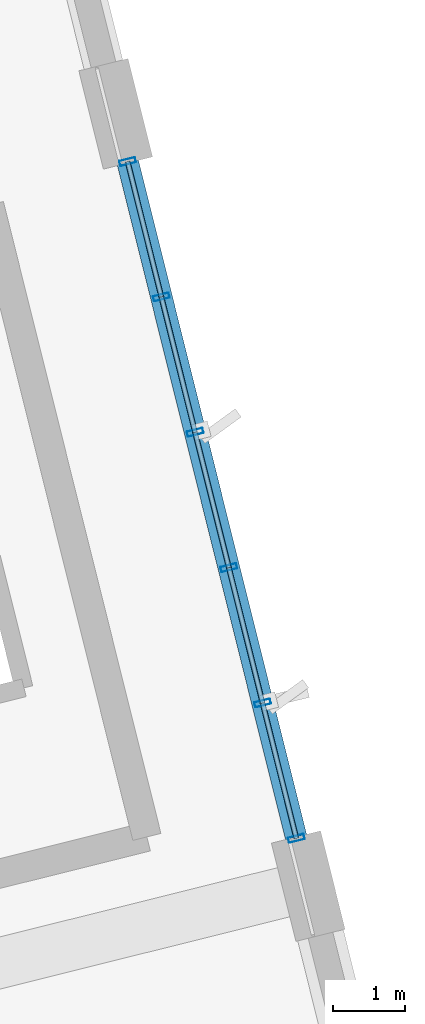
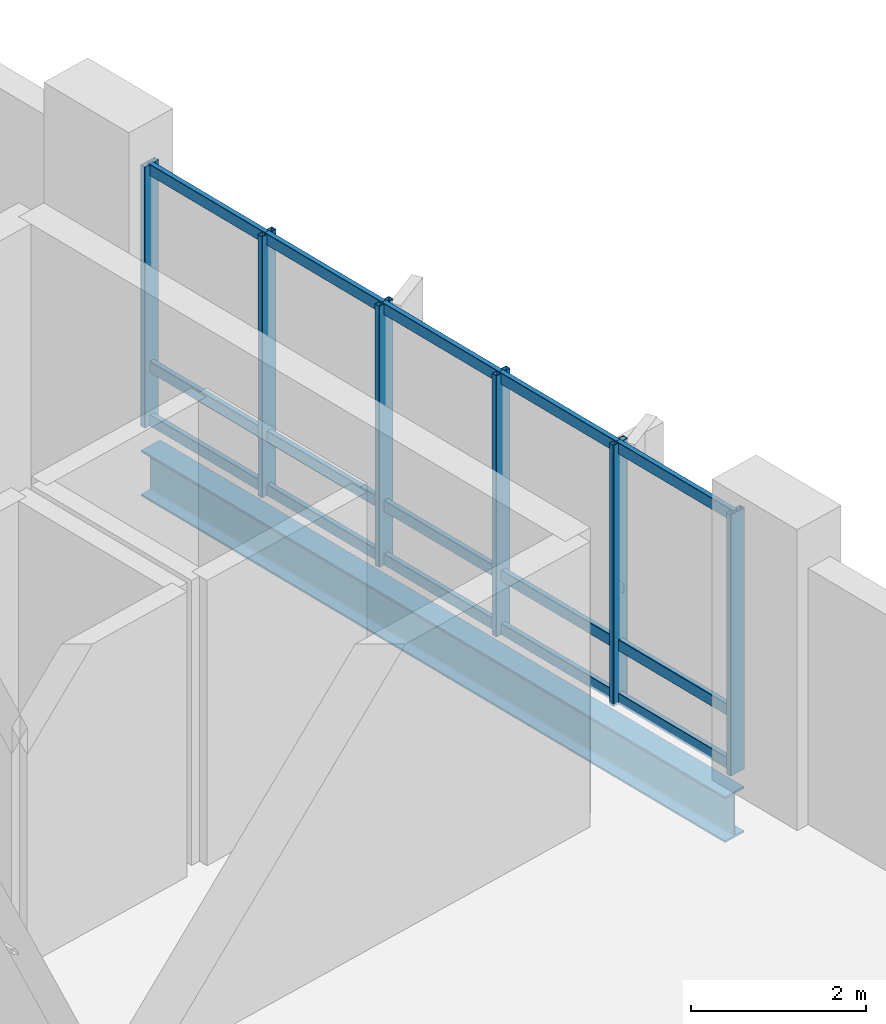
# One storey, part 16 of 22: 21 members, 1 beam, 1 element without a shape of its own.
"""IFC4 building model written with IfcOpenShell, lengths in metres."""

import ifcopenshell
import ifcopenshell.guid

model = None  # the IFC model being written
_history = None  # IfcOwnerHistory: only IFC2X3 demands one
_inside = {}  # id of a spatial element -> (the spatial element, [elements in it])
_under = {}  # id of a project, library or spatial element -> (it, [spatial elements below it])
_declared = {}  # id of a project -> (the project, [libraries it declares])
_typed = {}  # id of a type object -> (the type object, [elements of that type])
_made_of = {}  # id of a material, layer set ... -> (it, [elements and type objects made of it])


def new_model(schema):
    """Start an empty IFC model of exactly this schema.

    Asked for "IFC4X3", IfcOpenShell would pick the latest addendum, in which some entities
    have other attributes; the version numbers below select the first issue.
    IFC2X3 requires an IfcOwnerHistory on every rooted entity: one is made here for all.
    """
    global model, _history
    if schema == "IFC4X3":
        model = ifcopenshell.file(schema_version=(4, 3, 0, 0))
    else:
        model = ifcopenshell.file(schema=schema)
    _inside.clear()
    _under.clear()
    _declared.clear()
    _typed.clear()
    _made_of.clear()
    _history = None
    if model.schema == "IFC2X3":
        org = make("IfcOrganization", Name="unknown")
        user = make(
            "IfcPersonAndOrganization",
            ThePerson=make("IfcPerson", FamilyName="unknown"),
            TheOrganization=org,
        )
        app = make(
            "IfcApplication",
            ApplicationDeveloper=org,
            Version="unknown",
            ApplicationFullName="unknown",
            ApplicationIdentifier="unknown",
        )
        _history = make(
            "IfcOwnerHistory",
            OwningUser=user,
            OwningApplication=app,
            ChangeAction="ADDED",
            CreationDate=0,
        )
    return model


def make(cls, **values):
    """One entity of the class cls with the attributes given. An attribute that is None is left unset."""
    return model.create_entity(
        cls, **{name: value for name, value in values.items() if value is not None}
    )


def rooted(cls, **values):
    """An entity with a GlobalId (a new one), such as an element, a storey or a relation."""
    return make(cls, GlobalId=ifcopenshell.guid.new(), OwnerHistory=_history, **values)


def si_unit(unit_type, name, prefix=None):
    """IfcSIUnit, for example si_unit("LENGTHUNIT", "METRE", prefix="MILLI")."""
    return make("IfcSIUnit", UnitType=unit_type, Prefix=prefix, Name=name)


def assignment(units):
    """IfcUnitAssignment: the units of a project."""
    return None if units is None else make("IfcUnitAssignment", Units=units)


def point(xyz):
    """IfcCartesianPoint."""
    return None if xyz is None else make("IfcCartesianPoint", Coordinates=xyz)


def direction(xyz):
    """IfcDirection."""
    return None if xyz is None else make("IfcDirection", DirectionRatios=xyz)


def frame(location, z_axis=None, x_axis=None):
    """IfcAxis2Placement3D, a coordinate frame: its origin and axes. An axis left out is left unset."""
    return make(
        "IfcAxis2Placement3D",
        Location=point(location),
        Axis=direction(z_axis),
        RefDirection=direction(x_axis),
    )


def frame_2d(location, x_axis=None):
    """IfcAxis2Placement2D, a coordinate frame in the plane: its origin and x axis."""
    return make(
        "IfcAxis2Placement2D", Location=point(location), RefDirection=direction(x_axis)
    )


def origin():
    """The frame at (0, 0, 0) with its axes left unset."""
    return frame((0.0, 0.0, 0.0))


def origin_2d():
    """The frame at (0, 0) in the plane with its x axis left unset."""
    return frame_2d((0.0, 0.0))


def place(relative_to, where):
    """IfcLocalPlacement: puts the frame where relative to a parent placement (None: the world)."""
    return make(
        "IfcLocalPlacement", PlacementRelTo=relative_to, RelativePlacement=where
    )


def context(
    kind, dimensions, precision=None, world=None, true_north=None, identifier=None
):
    """IfcGeometricRepresentationContext, for example the 3D "Model" context."""
    return make(
        "IfcGeometricRepresentationContext",
        ContextIdentifier=identifier,
        ContextType=kind,
        CoordinateSpaceDimension=dimensions,
        Precision=precision,
        WorldCoordinateSystem=world,
        TrueNorth=true_north,
    )


def subcontext(parent, identifier, kind, view, scale=None):
    """IfcGeometricRepresentationSubContext, for example "Body" below "Model"."""
    return make(
        "IfcGeometricRepresentationSubContext",
        ContextIdentifier=identifier,
        ContextType=kind,
        ParentContext=parent,
        TargetScale=scale,
        TargetView=view,
    )


def project(units=None, contexts=None):
    """IfcProject with its units and contexts."""
    return rooted(
        "IfcProject",
        Name="project",
        RepresentationContexts=contexts,
        UnitsInContext=assignment(units),
    )


def spatial(cls, under=None, at=None, **own):
    """A site, building, storey or space (cls), placed at a placement, below another one or the project."""
    s = rooted(cls, ObjectPlacement=at, **own)
    if under is not None:
        _under.setdefault(under.id(), (under, []))[1].append(s)
    return s


def profile(cls, at=None, kind="AREA", **sizes):
    """A parametric profile (cls). Its sizes go by their IFC names, for example OverallWidth=200.0."""
    return make(cls, ProfileType=kind, Position=at, **sizes)


def hollow_rectangle(**sizes):
    """IfcRectangleHollowProfileDef."""
    return profile("IfcRectangleHollowProfileDef", **sizes)


def i_section(**sizes):
    """IfcIShapeProfileDef."""
    return profile("IfcIShapeProfileDef", **sizes)


def extrude(swept, where, along, depth):
    """IfcExtrudedAreaSolid: the profile swept, set in the frame where, extruded along a direction by depth."""
    return make(
        "IfcExtrudedAreaSolid",
        SweptArea=swept,
        Position=where,
        ExtrudedDirection=direction(along),
        Depth=depth,
    )


def shape(context_of_items, identifier, shape_type, items):
    """IfcShapeRepresentation: the items that make up one representation, for example the "Body"."""
    return make(
        "IfcShapeRepresentation",
        ContextOfItems=context_of_items,
        RepresentationIdentifier=identifier,
        RepresentationType=shape_type,
        Items=items,
    )


def material(Name=None, Category=None):
    """IfcMaterial."""
    return make("IfcMaterial", Name=Name, Category=Category)


def layer(
    of_material, thickness, ventilated=None, Name=None, Category=None, Priority=None
):
    """IfcMaterialLayer: one layer of a wall or slab, of a material (None: an air gap)."""
    return make(
        "IfcMaterialLayer",
        Material=of_material,
        LayerThickness=thickness,
        IsVentilated=ventilated,
        Name=Name,
        Category=Category,
        Priority=Priority,
    )


def layer_set(layers, Name=None):
    """IfcMaterialLayerSet."""
    return make("IfcMaterialLayerSet", MaterialLayers=layers, LayerSetName=Name)


def material_profile(
    of_material, cross_section, Name=None, Category=None, Priority=None
):
    """IfcMaterialProfile: a cross section and its material."""
    return make(
        "IfcMaterialProfile",
        Name=Name,
        Material=of_material,
        Profile=cross_section,
        Priority=Priority,
        Category=Category,
    )


def profile_set(profiles, Name=None, composite=None):
    """IfcMaterialProfileSet."""
    return make(
        "IfcMaterialProfileSet",
        Name=Name,
        MaterialProfiles=profiles,
        CompositeProfile=composite,
    )


def made_of(thing, what):
    """Note that an element or type object is made of a material, layer set ...; save() writes the relation."""
    if what is not None:
        _made_of.setdefault(what.id(), (what, []))[1].append(thing)
    return thing


def type_object(cls, material=None, **own):
    """A type object (cls), such as IfcWallType, which elements share."""
    return made_of(rooted(cls, **own), material)


def element(
    cls,
    number,
    at=None,
    inside=None,
    cuts=None,
    type_object=None,
    material=None,
    context=None,
    identifier="Body",
    shape_type=None,
    held_by="IfcProductDefinitionShape",
    body=None,
    shapes=None,
    **own,
):
    """One element of the class cls, such as IfcWall. Its Tag is "e" and its number.

    at: its placement. inside: the storey or other place that contains it. cuts: it is an
    opening in that element (IfcRelVoidsElement). A single representation is given by context,
    identifier, shape_type and body (its items); several are given by shapes. held_by: the class
    of the entity that holds the representations. save() writes the other relations.
    """
    e = rooted(cls, Tag="e%d" % number, ObjectPlacement=at, **own)
    if body is not None:
        shapes = [shape(context, identifier, shape_type, body)]
    if shapes is not None:
        e.Representation = make(held_by, Representations=shapes)
    if inside is not None:
        _inside.setdefault(inside.id(), (inside, []))[1].append(e)
    if cuts is not None:
        rooted(
            "IfcRelVoidsElement", RelatingBuildingElement=cuts, RelatedOpeningElement=e
        )
    if type_object is not None:
        _typed.setdefault(type_object.id(), (type_object, []))[1].append(e)
    return made_of(e, material)


def aggregate(whole, parts):
    """IfcRelAggregates: a whole, such as a stair, and the parts it consists of."""
    return rooted("IfcRelAggregates", RelatingObject=whole, RelatedObjects=parts)


def save(model, path):
    """Write the relations noted so far, then the file.

    IfcRelAggregates (storeys below a building ...), IfcRelContainedInSpatialStructure (elements
    in a storey), IfcRelDefinesByType, IfcRelAssociatesMaterial and IfcRelDeclares: one each for
    every whole, place, type object, material and project.
    """
    for whole, parts in _under.values():
        aggregate(whole, parts)
    for where, things in _inside.values():
        rooted(
            "IfcRelContainedInSpatialStructure",
            RelatedElements=things,
            RelatingStructure=where,
        )
    for kind, things in _typed.values():
        rooted("IfcRelDefinesByType", RelatedObjects=things, RelatingType=kind)
    for what, things in _made_of.values():
        rooted("IfcRelAssociatesMaterial", RelatedObjects=things, RelatingMaterial=what)
    for by, libraries in _declared.values():
        rooted("IfcRelDeclares", RelatingContext=by, RelatedDefinitions=libraries)
    model.write(path)


model = new_model("IFC4")

# Units and contexts
model_context = context("Model", 3, precision=1e-05, world=origin(), true_north=direction((0.0, 1.0)))
body_context = subcontext(model_context, "Body", "Model", "MODEL_VIEW")
ifc_project = project(units=[si_unit("LENGTHUNIT", "METRE"), si_unit("AREAUNIT", "SQUARE_METRE"), si_unit("VOLUMEUNIT", "CUBIC_METRE"), si_unit("PLANEANGLEUNIT", "RADIAN"), si_unit("MASSUNIT", "GRAM", prefix="KILO")], contexts=[model_context])

# Site, building, storey
site_placement = place(None, origin())
site = spatial("IfcSite", under=ifc_project, at=site_placement, CompositionType="ELEMENT")
building_placement = place(site_placement, origin())
building = spatial("IfcBuilding", under=site, at=building_placement, Name="Khorjan Park Terminus", CompositionType="ELEMENT")
storey_placement = place(building_placement, frame((0.0, 0.0, 24.6)))
storey = spatial("IfcBuildingStorey", under=building, at=storey_placement, Name="L05", CompositionType="ELEMENT", Elevation=24.6)

# Beam
ifc_material_1 = material(Name="Steel S355", Category="steel")
ifc_material_profile_1 = material_profile(ifc_material_1, i_section(OverallWidth=0.3, OverallDepth=0.64, WebThickness=0.0135, FlangeThickness=0.026, FilletRadius=0.027, at=origin_2d()), Name="HEA 650")
ifc_profile_set_1 = profile_set([ifc_material_profile_1], Name="Steel S355")
beam_type = type_object("IfcBeamType", Name="BM-HEA650", PredefinedType="BEAM", material=ifc_profile_set_1)
beam_placement = place(storey_placement, frame((224.5491, 39.9877, -0.65), z_axis=(-0.241925915978, 0.970294723874, 0.0), x_axis=(-0.970294723874, -0.241925915978, 0.0)))
element("IfcBeam", 1, at=beam_placement, inside=storey, type_object=beam_type, Name="Primary skew-grid floor girder SB-A65 (L05)", PredefinedType="BEAM", context=body_context, shape_type="SweptSolid", body=[
    extrude(i_section(OverallWidth=0.3, OverallDepth=0.64, WebThickness=0.0135, FlangeThickness=0.026, FilletRadius=0.027, at=origin_2d()), origin(), (0.0, 0.0, 1.0), 9.61),
])

# Curtain wall, members
ifc_material_2 = material(Name="Anodized Bronze Aluminium", Category="aluminium")
ifc_layer = layer(ifc_material_2, 0.22)
ifc_layer_set = layer_set([ifc_layer], Name="Anodized Bronze Aluminium")
curtain_wall_type = type_object("IfcCurtainWallType", Name="CW-OPS-B", PredefinedType="NOTDEFINED", material=ifc_layer_set)
curtain_wall_placement = place(storey_placement, origin())
curtain_wall = element("IfcCurtainWall", 2, at=curtain_wall_placement, inside=storey, type_object=curtain_wall_type, Name="Unitized curtain wall CW-B (CW-V5-E-L05-B03)", PredefinedType="NOTDEFINED")
ifc_material_profile_2 = material_profile(ifc_material_2, hollow_rectangle(XDim=0.075, YDim=0.225, WallThickness=0.005, InnerFilletRadius=0.005, OuterFilletRadius=0.01, at=origin_2d()), Name="ALM 75x225x5")
ifc_profile_set_2 = profile_set([ifc_material_profile_2], Name="Anodized Bronze Aluminium")
member_type_1 = type_object("IfcMemberType", Name="ML-ALM-225", PredefinedType="MULLION", material=ifc_profile_set_2)
member_1_placement = place(storey_placement, frame((224.5528, 39.9729, -0.035), z_axis=(0.0, 0.0, 1.0), x_axis=(-0.241922975976, 0.970295456907, 0.0)))
member_1 = element("IfcMember", 3, at=member_1_placement, type_object=member_type_1, Name="Curtain-wall mullion ML-22 (CW-V5-E-L05-B03-0)", PredefinedType="MULLION", context=body_context, shape_type="SweptSolid", body=[
    extrude(hollow_rectangle(XDim=0.075, YDim=0.225, WallThickness=0.005, InnerFilletRadius=0.005, OuterFilletRadius=0.01, at=origin_2d()), origin(), (0.0, 0.0, 1.0), 3.645),
])
member_2_placement = place(storey_placement, frame((224.0863, 41.8438, -0.035), z_axis=(0.0, 0.0, 1.0), x_axis=(-0.241922975976, 0.970295456907, 0.0)))
member_2 = element("IfcMember", 4, at=member_2_placement, type_object=member_type_1, Name="Curtain-wall mullion ML-22 (CW-V5-E-L05-B03-1)", PredefinedType="MULLION", context=body_context, shape_type="SweptSolid", body=[
    extrude(hollow_rectangle(XDim=0.075, YDim=0.225, WallThickness=0.005, InnerFilletRadius=0.005, OuterFilletRadius=0.01, at=origin_2d()), origin(), (0.0, 0.0, 1.0), 3.645),
])
member_3_placement = place(storey_placement, frame((223.6199, 43.7146, -0.035), z_axis=(0.0, 0.0, 1.0), x_axis=(-0.241922975976, 0.970295456907, 0.0)))
member_3 = element("IfcMember", 5, at=member_3_placement, type_object=member_type_1, Name="Curtain-wall mullion ML-22 (CW-V5-E-L05-B03-2)", PredefinedType="MULLION", context=body_context, shape_type="SweptSolid", body=[
    extrude(hollow_rectangle(XDim=0.075, YDim=0.225, WallThickness=0.005, InnerFilletRadius=0.005, OuterFilletRadius=0.01, at=origin_2d()), origin(), (0.0, 0.0, 1.0), 3.645),
])
member_4_placement = place(storey_placement, frame((223.1534, 45.5855, -0.035), z_axis=(0.0, 0.0, 1.0), x_axis=(-0.241922975976, 0.970295456907, 0.0)))
member_4 = element("IfcMember", 6, at=member_4_placement, type_object=member_type_1, Name="Curtain-wall mullion ML-22 (CW-V5-E-L05-B03-3)", PredefinedType="MULLION", context=body_context, shape_type="SweptSolid", body=[
    extrude(hollow_rectangle(XDim=0.075, YDim=0.225, WallThickness=0.005, InnerFilletRadius=0.005, OuterFilletRadius=0.01, at=origin_2d()), origin(), (0.0, 0.0, 1.0), 3.645),
])
member_5_placement = place(storey_placement, frame((222.687, 47.4563, -0.035), z_axis=(0.0, 0.0, 1.0), x_axis=(-0.241922975976, 0.970295456907, 0.0)))
member_5 = element("IfcMember", 7, at=member_5_placement, type_object=member_type_1, Name="Curtain-wall mullion ML-22 (CW-V5-E-L05-B03-4)", PredefinedType="MULLION", context=body_context, shape_type="SweptSolid", body=[
    extrude(hollow_rectangle(XDim=0.075, YDim=0.225, WallThickness=0.005, InnerFilletRadius=0.005, OuterFilletRadius=0.01, at=origin_2d()), origin(), (0.0, 0.0, 1.0), 3.645),
])
member_6_placement = place(storey_placement, frame((222.2205, 49.3272, -0.035), z_axis=(0.0, 0.0, 1.0), x_axis=(-0.241922975976, 0.970295456907, 0.0)))
member_6 = element("IfcMember", 8, at=member_6_placement, type_object=member_type_1, Name="Curtain-wall mullion ML-22 (CW-V5-E-L05-B03-5)", PredefinedType="MULLION", context=body_context, shape_type="SweptSolid", body=[
    extrude(hollow_rectangle(XDim=0.075, YDim=0.225, WallThickness=0.005, InnerFilletRadius=0.005, OuterFilletRadius=0.01, at=origin_2d()), origin(), (0.0, 0.0, 1.0), 3.645),
])
ifc_material_profile_3 = material_profile(ifc_material_2, hollow_rectangle(XDim=0.07, YDim=0.16, WallThickness=0.004, InnerFilletRadius=0.004, OuterFilletRadius=0.008, at=origin_2d()), Name="ALT 70x160x4")
ifc_profile_set_3 = profile_set([ifc_material_profile_3], Name="Anodized Bronze Aluminium")
member_type_2 = type_object("IfcMemberType", Name="TR-ALT-160", PredefinedType="USERDEFINED", material=ifc_profile_set_3)
member_7_placement = place(storey_placement, frame((224.5528, 39.9729, 0.04), z_axis=(-0.241937637138, 0.970291801334, 0.0), x_axis=(-0.970291801334, -0.241937637138, 0.0)))
member_7 = element("IfcMember", 9, at=member_7_placement, type_object=member_type_2, Name="Curtain-wall transom TR-16 (CW-V5-E-L05-B03-0-1)", ObjectType="TRANSOM", PredefinedType="USERDEFINED", context=body_context, shape_type="SweptSolid", body=[
    extrude(hollow_rectangle(XDim=0.07, YDim=0.16, WallThickness=0.004, InnerFilletRadius=0.004, OuterFilletRadius=0.008, at=origin_2d()), origin(), (0.0, 0.0, 1.0), 1.9282),
])
member_8_placement = place(storey_placement, frame((224.5528, 39.9729, 0.786), z_axis=(-0.241937637138, 0.970291801334, 0.0), x_axis=(-0.970291801334, -0.241937637138, 0.0)))
member_8 = element("IfcMember", 10, at=member_8_placement, type_object=member_type_2, Name="Curtain-wall transom TR-16 (CW-V5-E-L05-B03-0-2)", ObjectType="TRANSOM", PredefinedType="USERDEFINED", context=body_context, shape_type="SweptSolid", body=[
    extrude(hollow_rectangle(XDim=0.07, YDim=0.16, WallThickness=0.004, InnerFilletRadius=0.004, OuterFilletRadius=0.008, at=origin_2d()), origin(), (0.0, 0.0, 1.0), 1.9282),
])
member_9_placement = place(storey_placement, frame((224.5528, 39.9729, 3.535), z_axis=(-0.241937637138, 0.970291801334, 0.0), x_axis=(-0.970291801334, -0.241937637138, 0.0)))
member_9 = element("IfcMember", 11, at=member_9_placement, type_object=member_type_2, Name="Curtain-wall transom TR-16 (CW-V5-E-L05-B03-0-3)", ObjectType="TRANSOM", PredefinedType="USERDEFINED", context=body_context, shape_type="SweptSolid", body=[
    extrude(hollow_rectangle(XDim=0.07, YDim=0.16, WallThickness=0.004, InnerFilletRadius=0.004, OuterFilletRadius=0.008, at=origin_2d()), origin(), (0.0, 0.0, 1.0), 1.9282),
])
member_10_placement = place(storey_placement, frame((224.0863, 41.8438, 0.04), z_axis=(-0.241900982739, 0.970300940198, 0.0), x_axis=(-0.970300940198, -0.241900982739, 0.0)))
member_10 = element("IfcMember", 12, at=member_10_placement, type_object=member_type_2, Name="Curtain-wall transom TR-16 (CW-V5-E-L05-B03-1-1)", ObjectType="TRANSOM", PredefinedType="USERDEFINED", context=body_context, shape_type="SweptSolid", body=[
    extrude(hollow_rectangle(XDim=0.07, YDim=0.16, WallThickness=0.004, InnerFilletRadius=0.004, OuterFilletRadius=0.008, at=origin_2d()), origin(), (0.0, 0.0, 1.0), 1.9281),
])
member_11_placement = place(storey_placement, frame((224.0863, 41.8438, 0.786), z_axis=(-0.241900982739, 0.970300940198, 0.0), x_axis=(-0.970300940198, -0.241900982739, 0.0)))
member_11 = element("IfcMember", 13, at=member_11_placement, type_object=member_type_2, Name="Curtain-wall transom TR-16 (CW-V5-E-L05-B03-1-2)", ObjectType="TRANSOM", PredefinedType="USERDEFINED", context=body_context, shape_type="SweptSolid", body=[
    extrude(hollow_rectangle(XDim=0.07, YDim=0.16, WallThickness=0.004, InnerFilletRadius=0.004, OuterFilletRadius=0.008, at=origin_2d()), origin(), (0.0, 0.0, 1.0), 1.9281),
])
member_12_placement = place(storey_placement, frame((224.0863, 41.8438, 3.535), z_axis=(-0.241900982739, 0.970300940198, 0.0), x_axis=(-0.970300940198, -0.241900982739, 0.0)))
member_12 = element("IfcMember", 14, at=member_12_placement, type_object=member_type_2, Name="Curtain-wall transom TR-16 (CW-V5-E-L05-B03-1-3)", ObjectType="TRANSOM", PredefinedType="USERDEFINED", context=body_context, shape_type="SweptSolid", body=[
    extrude(hollow_rectangle(XDim=0.07, YDim=0.16, WallThickness=0.004, InnerFilletRadius=0.004, OuterFilletRadius=0.008, at=origin_2d()), origin(), (0.0, 0.0, 1.0), 1.9281),
])
member_13_placement = place(storey_placement, frame((223.6199, 43.7146, 0.04), z_axis=(-0.241937637138, 0.970291801334, 0.0), x_axis=(-0.970291801334, -0.241937637138, 0.0)))
member_13 = element("IfcMember", 15, at=member_13_placement, type_object=member_type_2, Name="Curtain-wall transom TR-16 (CW-V5-E-L05-B03-2-1)", ObjectType="TRANSOM", PredefinedType="USERDEFINED", context=body_context, shape_type="SweptSolid", body=[
    extrude(hollow_rectangle(XDim=0.07, YDim=0.16, WallThickness=0.004, InnerFilletRadius=0.004, OuterFilletRadius=0.008, at=origin_2d()), origin(), (0.0, 0.0, 1.0), 1.9282),
])
member_14_placement = place(storey_placement, frame((223.6199, 43.7146, 0.786), z_axis=(-0.241937637138, 0.970291801334, 0.0), x_axis=(-0.970291801334, -0.241937637138, 0.0)))
member_14 = element("IfcMember", 16, at=member_14_placement, type_object=member_type_2, Name="Curtain-wall transom TR-16 (CW-V5-E-L05-B03-2-2)", ObjectType="TRANSOM", PredefinedType="USERDEFINED", context=body_context, shape_type="SweptSolid", body=[
    extrude(hollow_rectangle(XDim=0.07, YDim=0.16, WallThickness=0.004, InnerFilletRadius=0.004, OuterFilletRadius=0.008, at=origin_2d()), origin(), (0.0, 0.0, 1.0), 1.9282),
])
member_15_placement = place(storey_placement, frame((223.6199, 43.7146, 3.535), z_axis=(-0.241937637138, 0.970291801334, 0.0), x_axis=(-0.970291801334, -0.241937637138, 0.0)))
member_15 = element("IfcMember", 17, at=member_15_placement, type_object=member_type_2, Name="Curtain-wall transom TR-16 (CW-V5-E-L05-B03-2-3)", ObjectType="TRANSOM", PredefinedType="USERDEFINED", context=body_context, shape_type="SweptSolid", body=[
    extrude(hollow_rectangle(XDim=0.07, YDim=0.16, WallThickness=0.004, InnerFilletRadius=0.004, OuterFilletRadius=0.008, at=origin_2d()), origin(), (0.0, 0.0, 1.0), 1.9282),
])
member_16_placement = place(storey_placement, frame((223.1534, 45.5855, 0.04), z_axis=(-0.241900982739, 0.970300940198, 0.0), x_axis=(-0.970300940198, -0.241900982739, 0.0)))
member_16 = element("IfcMember", 18, at=member_16_placement, type_object=member_type_2, Name="Curtain-wall transom TR-16 (CW-V5-E-L05-B03-3-1)", ObjectType="TRANSOM", PredefinedType="USERDEFINED", context=body_context, shape_type="SweptSolid", body=[
    extrude(hollow_rectangle(XDim=0.07, YDim=0.16, WallThickness=0.004, InnerFilletRadius=0.004, OuterFilletRadius=0.008, at=origin_2d()), origin(), (0.0, 0.0, 1.0), 1.9281),
])
member_17_placement = place(storey_placement, frame((223.1534, 45.5855, 0.786), z_axis=(-0.241900982739, 0.970300940198, 0.0), x_axis=(-0.970300940198, -0.241900982739, 0.0)))
member_17 = element("IfcMember", 19, at=member_17_placement, type_object=member_type_2, Name="Curtain-wall transom TR-16 (CW-V5-E-L05-B03-3-2)", ObjectType="TRANSOM", PredefinedType="USERDEFINED", context=body_context, shape_type="SweptSolid", body=[
    extrude(hollow_rectangle(XDim=0.07, YDim=0.16, WallThickness=0.004, InnerFilletRadius=0.004, OuterFilletRadius=0.008, at=origin_2d()), origin(), (0.0, 0.0, 1.0), 1.9281),
])
member_18_placement = place(storey_placement, frame((223.1534, 45.5855, 3.535), z_axis=(-0.241900982739, 0.970300940198, 0.0), x_axis=(-0.970300940198, -0.241900982739, 0.0)))
member_18 = element("IfcMember", 20, at=member_18_placement, type_object=member_type_2, Name="Curtain-wall transom TR-16 (CW-V5-E-L05-B03-3-3)", ObjectType="TRANSOM", PredefinedType="USERDEFINED", context=body_context, shape_type="SweptSolid", body=[
    extrude(hollow_rectangle(XDim=0.07, YDim=0.16, WallThickness=0.004, InnerFilletRadius=0.004, OuterFilletRadius=0.008, at=origin_2d()), origin(), (0.0, 0.0, 1.0), 1.9281),
])
member_19_placement = place(storey_placement, frame((222.687, 47.4563, 0.04), z_axis=(-0.241937637138, 0.970291801334, 0.0), x_axis=(-0.970291801334, -0.241937637138, 0.0)))
member_19 = element("IfcMember", 21, at=member_19_placement, type_object=member_type_2, Name="Curtain-wall transom TR-16 (CW-V5-E-L05-B03-4-1)", ObjectType="TRANSOM", PredefinedType="USERDEFINED", context=body_context, shape_type="SweptSolid", body=[
    extrude(hollow_rectangle(XDim=0.07, YDim=0.16, WallThickness=0.004, InnerFilletRadius=0.004, OuterFilletRadius=0.008, at=origin_2d()), origin(), (0.0, 0.0, 1.0), 1.9282),
])
member_20_placement = place(storey_placement, frame((222.687, 47.4563, 0.786), z_axis=(-0.241937637138, 0.970291801334, 0.0), x_axis=(-0.970291801334, -0.241937637138, 0.0)))
member_20 = element("IfcMember", 22, at=member_20_placement, type_object=member_type_2, Name="Curtain-wall transom TR-16 (CW-V5-E-L05-B03-4-2)", ObjectType="TRANSOM", PredefinedType="USERDEFINED", context=body_context, shape_type="SweptSolid", body=[
    extrude(hollow_rectangle(XDim=0.07, YDim=0.16, WallThickness=0.004, InnerFilletRadius=0.004, OuterFilletRadius=0.008, at=origin_2d()), origin(), (0.0, 0.0, 1.0), 1.9282),
])
member_21_placement = place(storey_placement, frame((222.687, 47.4563, 3.535), z_axis=(-0.241937637138, 0.970291801334, 0.0), x_axis=(-0.970291801334, -0.241937637138, 0.0)))
member_21 = element("IfcMember", 23, at=member_21_placement, type_object=member_type_2, Name="Curtain-wall transom TR-16 (CW-V5-E-L05-B03-4-3)", ObjectType="TRANSOM", PredefinedType="USERDEFINED", context=body_context, shape_type="SweptSolid", body=[
    extrude(hollow_rectangle(XDim=0.07, YDim=0.16, WallThickness=0.004, InnerFilletRadius=0.004, OuterFilletRadius=0.008, at=origin_2d()), origin(), (0.0, 0.0, 1.0), 1.9282),
])
aggregate(curtain_wall, [member_1, member_2, member_3, member_4, member_5, member_6, member_7, member_8, member_9, member_10, member_11, member_12, member_13, member_14, member_15, member_16, member_17, member_18, member_19, member_20, member_21])

save(model, "model.ifc")
